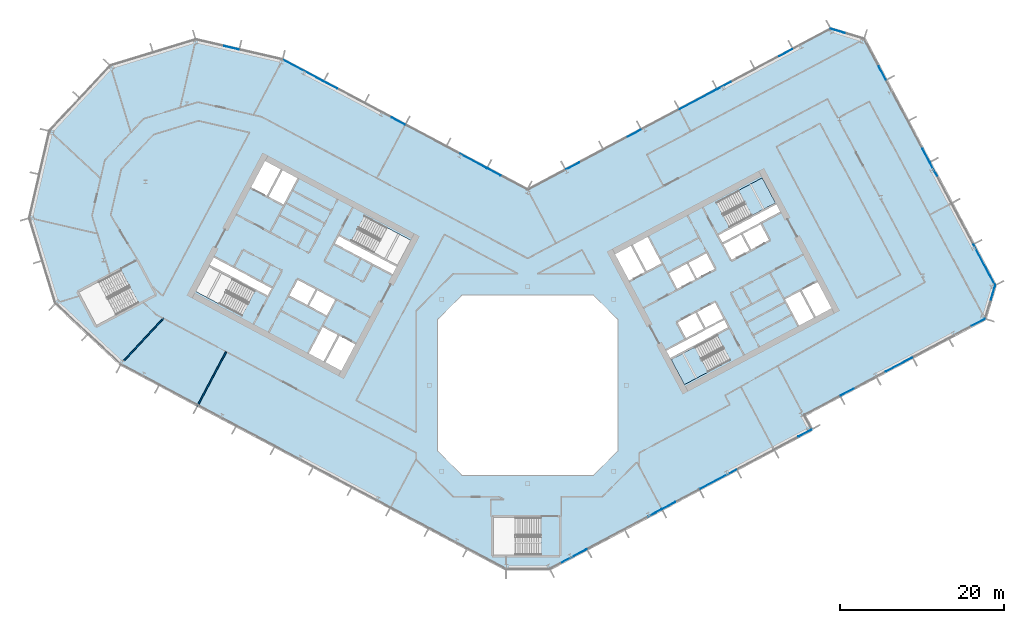
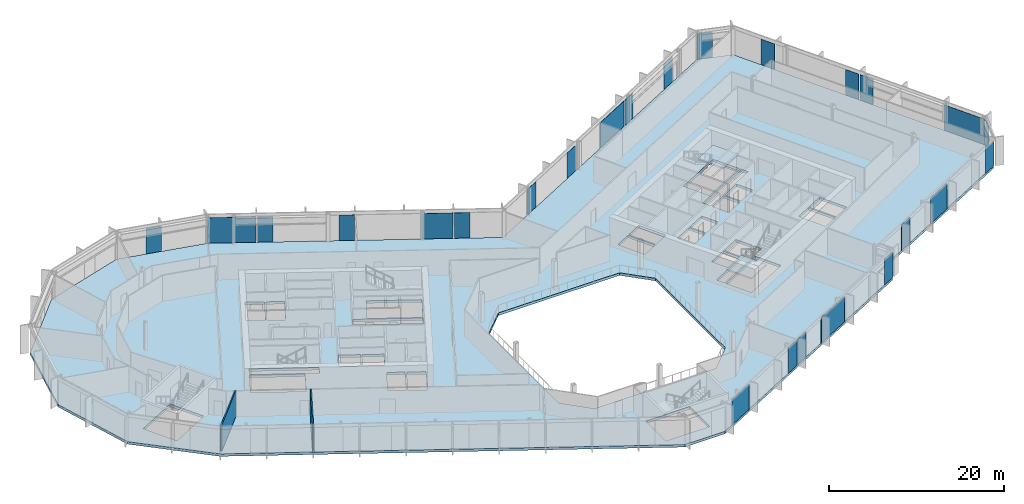
# One storey, part 12 of 28: 25 plates, 3 slabs, 2 walls, 10 elements without a shape of their own.
"""IFC4 building model written with IfcOpenShell, lengths in metres."""

from ifc_helpers import new_model, si_unit, direction, frame, frame_2d, origin, origin_2d, place, context, subcontext, project, spatial, polyline, rectangle, outline, extrude, material, layer, layer_set, type_object, element, aggregate, save


model = new_model("IFC4")

# Units and contexts
model_context = context("Model", 3, precision=1e-05, world=origin(), true_north=direction((0.0, 1.0)))
body_context = subcontext(model_context, "Body", "Model", "MODEL_VIEW")
ifc_project = project(units=[si_unit("LENGTHUNIT", "METRE"), si_unit("AREAUNIT", "SQUARE_METRE"), si_unit("VOLUMEUNIT", "CUBIC_METRE"), si_unit("PLANEANGLEUNIT", "RADIAN"), si_unit("MASSUNIT", "GRAM", prefix="KILO")], contexts=[model_context])

# Site, building, storey
site_placement = place(None, origin())
site = spatial("IfcSite", under=ifc_project, at=site_placement, CompositionType="ELEMENT")
building_placement = place(site_placement, origin())
building = spatial("IfcBuilding", under=site, at=building_placement, Name="Cormorant Relay Tower", CompositionType="ELEMENT")
storey_placement = place(building_placement, frame((0.0, 0.0, 142.199951171875)))
storey = spatial("IfcBuildingStorey", under=building, at=storey_placement, Name="L29", CompositionType="ELEMENT", Elevation=142.199951171875)

# Curtain wall, plates
ifc_material_1 = material(Name="Aluminium 6063-T6 anodised bronze", Category="aluminium")
ifc_layer_1 = layer(ifc_material_1, 0.199951171875)
ifc_layer_set_1 = layer_set([ifc_layer_1], Name="CW1 unitised bronze curtain wall with vertical fins")
curtain_wall_type = type_object("IfcCurtainWallType", Name="CW1 unitised bronze curtain wall with vertical fins", PredefinedType="NOTDEFINED", material=ifc_layer_set_1)
curtain_wall_1_placement = place(storey_placement, origin())
curtain_wall_1 = element("IfcCurtainWall", 1, at=curtain_wall_1_placement, inside=storey, type_object=curtain_wall_type, Name="CW1 curtain wall 2", PredefinedType="NOTDEFINED")
ifc_material_2 = material(Name="Tinted laminated glass", Category="glass")
ifc_layer_2 = layer(ifc_material_2, 0.0400390625)
ifc_layer_set_2 = layer_set([ifc_layer_2], Name="CW1 tinted vision panel 1800 module")
plate_type_1 = type_object("IfcPlateType", Name="CW1 tinted vision panel 1800 module", PredefinedType="CURTAIN_PANEL", material=ifc_layer_set_2)
plate_1_placement = place(storey_placement, frame((15.48291015625, -15.57421875, 0.0), z_axis=(0.0, 0.0, 1.0), x_axis=(0.882947592859, 0.469471562786, 0.0)))
plate_1 = element("IfcPlate", 2, at=plate_1_placement, type_object=plate_type_1, Name="CW1 panel V03", PredefinedType="CURTAIN_PANEL", context=body_context, shape_type="SweptSolid", body=[
    extrude(rectangle(XDim=1.800048828125, YDim=0.0400390625, at=origin_2d()), origin(), (0.0, 0.0, 1.0), 3.550048828125),
])
plate_2_placement = place(storey_placement, frame((17.20458984375, -14.65869140625, 0.0), z_axis=(0.0, 0.0, 1.0), x_axis=(0.882947592859, 0.469471562786, 0.0)))
plate_2 = element("IfcPlate", 3, at=plate_2_placement, type_object=plate_type_1, Name="CW1 panel V04", PredefinedType="CURTAIN_PANEL", context=body_context, shape_type="SweptSolid", body=[
    extrude(rectangle(XDim=1.800048828125, YDim=0.0400390625, at=origin_2d()), origin(), (0.0, 0.0, 1.0), 3.550048828125),
])
plate_3_placement = place(storey_placement, frame((33.796142578125, -5.8369140625, 0.0), z_axis=(0.0, 0.0, 1.0), x_axis=(0.882947592859, 0.469471562786, 0.0)))
plate_3 = element("IfcPlate", 4, at=plate_3_placement, type_object=plate_type_1, Name="CW1 panel V08", PredefinedType="CURTAIN_PANEL", context=body_context, shape_type="SweptSolid", body=[
    extrude(rectangle(XDim=1.800048828125, YDim=0.0400390625, at=origin_2d()), origin(), (0.0, 0.0, 1.0), 3.550048828125),
])

curtain_wall_2_placement = place(storey_placement, origin())
curtain_wall_2 = element("IfcCurtainWall", 5, at=curtain_wall_2_placement, inside=storey, type_object=curtain_wall_type, Name="CW1 curtain wall 4", PredefinedType="NOTDEFINED")
plate_4_placement = place(storey_placement, frame((38.927490234375, -0.843505859375, 0.0), z_axis=(0.0, 0.0, 1.0), x_axis=(0.882947592859, 0.469471562786, 0.0)))
plate_4 = element("IfcPlate", 6, at=plate_4_placement, type_object=plate_type_1, Name="CW1 panel V01", PredefinedType="CURTAIN_PANEL", context=body_context, shape_type="SweptSolid", body=[
    extrude(rectangle(XDim=1.800048828125, YDim=0.0400390625, at=origin_2d()), origin(), (0.0, 0.0, 1.0), 3.550048828125),
])
plate_5_placement = place(storey_placement, frame((54.930908203125, 7.665771484375, 0.0), z_axis=(0.0, 0.0, 1.0), x_axis=(0.882947592859, 0.469471562786, 0.0)))
plate_5 = element("IfcPlate", 7, at=plate_5_placement, type_object=plate_type_1, Name="CW1 panel V05", PredefinedType="CURTAIN_PANEL", context=body_context, shape_type="SweptSolid", body=[
    extrude(rectangle(XDim=1.800048828125, YDim=0.0400390625, at=origin_2d()), origin(), (0.0, 0.0, 1.0), 3.550048828125),
])

# Curtain wall, plate
curtain_wall_3_placement = place(storey_placement, origin())
curtain_wall_3 = element("IfcCurtainWall", 8, at=curtain_wall_3_placement, inside=storey, type_object=curtain_wall_type, Name="CW1 curtain wall 5", PredefinedType="NOTDEFINED")
plate_6_placement = place(storey_placement, frame((56.712646484375, 11.296630859375, 0.0), z_axis=(0.0, 0.0, 1.0), x_axis=(0.292371704723, 0.956304755963, 0.0)))
plate_6 = element("IfcPlate", 9, at=plate_6_placement, type_object=plate_type_1, Name="CW1 panel V01", PredefinedType="CURTAIN_PANEL", context=body_context, shape_type="SweptSolid", body=[
    extrude(rectangle(XDim=1.800048828125, YDim=0.0400390625, at=origin_2d()), origin(), (0.0, 0.0, 1.0), 3.550048828125),
])
aggregate(curtain_wall_3, [plate_6])

# Curtain wall, plates
curtain_wall_4_placement = place(storey_placement, origin())
curtain_wall_4 = element("IfcCurtainWall", 10, at=curtain_wall_4_placement, inside=storey, type_object=curtain_wall_type, Name="CW1 curtain wall 6", PredefinedType="NOTDEFINED")
plate_7_placement = place(storey_placement, frame((49.450927734375, 26.322021484375, 0.0), z_axis=(0.0, 0.0, 1.0), x_axis=(-0.469471562786, 0.882947592859, 0.0)))
plate_7 = element("IfcPlate", 11, at=plate_7_placement, type_object=plate_type_1, Name="CW1 panel V02", PredefinedType="CURTAIN_PANEL", context=body_context, shape_type="SweptSolid", body=[
    extrude(rectangle(XDim=1.800048828125, YDim=0.0400390625, at=origin_2d()), origin(), (0.0, 0.0, 1.0), 3.550048828125),
])
plate_8_placement = place(storey_placement, frame((48.535400390625, 28.043701171875, 0.0), z_axis=(0.0, 0.0, 1.0), x_axis=(-0.469471562786, 0.882947592859, 0.0)))
plate_8 = element("IfcPlate", 12, at=plate_8_placement, type_object=plate_type_1, Name="CW1 panel V03", PredefinedType="CURTAIN_PANEL", context=body_context, shape_type="SweptSolid", body=[
    extrude(rectangle(XDim=1.800048828125, YDim=0.0400390625, at=origin_2d()), origin(), (0.0, 0.0, 1.0), 3.550048828125),
])
plate_9_placement = place(storey_placement, frame((43.21484375, 38.05029296875, 0.0), z_axis=(0.0, 0.0, 1.0), x_axis=(-0.469471562786, 0.882947592859, 0.0)))
plate_9 = element("IfcPlate", 13, at=plate_9_placement, type_object=plate_type_1, Name="CW1 panel V05", PredefinedType="CURTAIN_PANEL", context=body_context, shape_type="SweptSolid", body=[
    extrude(rectangle(XDim=1.800048828125, YDim=0.0400390625, at=origin_2d()), origin(), (0.0, 0.0, 1.0), 3.550048828125),
])

# Curtain wall, plate
curtain_wall_5_placement = place(storey_placement, origin())
curtain_wall_5 = element("IfcCurtainWall", 14, at=curtain_wall_5_placement, inside=storey, type_object=curtain_wall_type, Name="CW1 curtain wall 7", PredefinedType="NOTDEFINED")
plate_10_placement = place(storey_placement, frame((37.8037109375, 43.179931640625, 0.0), z_axis=(0.0, 0.0, 1.0), x_axis=(-0.956304755963, 0.292371704723, 0.0)))
plate_10 = element("IfcPlate", 15, at=plate_10_placement, type_object=plate_type_1, Name="CW1 panel V01", PredefinedType="CURTAIN_PANEL", context=body_context, shape_type="SweptSolid", body=[
    extrude(rectangle(XDim=1.800048828125, YDim=0.0400390625, at=origin_2d()), origin(), (0.0, 0.0, 1.0), 3.550048828125),
])
aggregate(curtain_wall_5, [plate_10])

# Curtain wall, plates
curtain_wall_6_placement = place(storey_placement, origin())
curtain_wall_6 = element("IfcCurtainWall", 16, at=curtain_wall_6_placement, inside=storey, type_object=curtain_wall_type, Name="CW1 curtain wall 8", PredefinedType="NOTDEFINED")
plate_11_placement = place(storey_placement, frame((31.449951171875, 40.52880859375, 0.0), z_axis=(0.0, 0.0, 1.0), x_axis=(-0.882947592859, -0.469471562786, 0.0)))
plate_11 = element("IfcPlate", 17, at=plate_11_placement, type_object=plate_type_1, Name="CW1 panel V01", PredefinedType="CURTAIN_PANEL", context=body_context, shape_type="SweptSolid", body=[
    extrude(rectangle(XDim=1.800048828125, YDim=0.0400390625, at=origin_2d()), origin(), (0.0, 0.0, 1.0), 3.550048828125),
])
plate_12_placement = place(storey_placement, frame((23.937255859375, 36.5341796875, 0.0), z_axis=(0.0, 0.0, 1.0), x_axis=(-0.882947592859, -0.469471562786, 0.0)))
plate_12 = element("IfcPlate", 18, at=plate_12_placement, type_object=plate_type_1, Name="CW1 panel V03", PredefinedType="CURTAIN_PANEL", context=body_context, shape_type="SweptSolid", body=[
    extrude(rectangle(XDim=1.800048828125, YDim=0.0400390625, at=origin_2d()), origin(), (0.0, 0.0, 1.0), 3.550048828125),
])
plate_13_placement = place(storey_placement, frame((12.981201171875, 30.708984375, 0.0), z_axis=(0.0, 0.0, 1.0), x_axis=(-0.882947592859, -0.469471562786, 0.0)))
plate_13 = element("IfcPlate", 19, at=plate_13_placement, type_object=plate_type_1, Name="CW1 panel V06", PredefinedType="CURTAIN_PANEL", context=body_context, shape_type="SweptSolid", body=[
    extrude(rectangle(XDim=1.800048828125, YDim=0.0400390625, at=origin_2d()), origin(), (0.0, 0.0, 1.0), 3.550048828125),
])
plate_14_placement = place(storey_placement, frame((5.468505859375, 26.71435546875, 0.0), z_axis=(0.0, 0.0, 1.0), x_axis=(-0.882947592859, -0.469471562786, 0.0)))
plate_14 = element("IfcPlate", 20, at=plate_14_placement, type_object=plate_type_1, Name="CW1 panel V08", PredefinedType="CURTAIN_PANEL", context=body_context, shape_type="SweptSolid", body=[
    extrude(rectangle(XDim=1.800048828125, YDim=0.0400390625, at=origin_2d()), origin(), (0.0, 0.0, 1.0), 3.550048828125),
])

curtain_wall_7_placement = place(storey_placement, origin())
curtain_wall_7 = element("IfcCurtainWall", 21, at=curtain_wall_7_placement, inside=storey, type_object=curtain_wall_type, Name="CW1 curtain wall 9", PredefinedType="NOTDEFINED")
plate_15_placement = place(storey_placement, frame((-4.108642578125, 25.9912109375, 0.0), z_axis=(0.0, 0.0, 1.0), x_axis=(-0.882947592859, 0.469471562786, 0.0)))
plate_15 = element("IfcPlate", 22, at=plate_15_placement, type_object=plate_type_1, Name="CW1 panel V01", PredefinedType="CURTAIN_PANEL", context=body_context, shape_type="SweptSolid", body=[
    extrude(rectangle(XDim=1.800048828125, YDim=0.0400390625, at=origin_2d()), origin(), (0.0, 0.0, 1.0), 3.550048828125),
])
plate_16_placement = place(storey_placement, frame((-15.788330078125, 32.201416015625, 0.0), z_axis=(0.0, 0.0, 1.0), x_axis=(-0.882947592859, 0.469471562786, 0.0)))
plate_16 = element("IfcPlate", 23, at=plate_16_placement, type_object=plate_type_1, Name="CW1 panel V04", PredefinedType="CURTAIN_PANEL", context=body_context, shape_type="SweptSolid", body=[
    extrude(rectangle(XDim=1.800048828125, YDim=0.0400390625, at=origin_2d()), origin(), (0.0, 0.0, 1.0), 3.550048828125),
])
plate_17_placement = place(storey_placement, frame((-24.0244140625, 36.580810546875, 0.0), z_axis=(0.0, 0.0, 1.0), x_axis=(-0.882947592859, 0.469471562786, 0.0)))
plate_17 = element("IfcPlate", 24, at=plate_17_placement, type_object=plate_type_1, Name="CW1 panel V06", PredefinedType="CURTAIN_PANEL", context=body_context, shape_type="SweptSolid", body=[
    extrude(rectangle(XDim=1.800048828125, YDim=0.0400390625, at=origin_2d()), origin(), (0.0, 0.0, 1.0), 3.550048828125),
])

# Curtain wall, plate
curtain_wall_8_placement = place(storey_placement, origin())
curtain_wall_8 = element("IfcCurtainWall", 25, at=curtain_wall_8_placement, inside=storey, type_object=curtain_wall_type, Name="CW1 curtain wall 10", PredefinedType="NOTDEFINED")
plate_18_placement = place(storey_placement, frame((-36.114990234375, 41.129638671875, 0.0), z_axis=(0.0, 0.0, 1.0), x_axis=(-0.974370064785, 0.224951054344, 0.0)))
plate_18 = element("IfcPlate", 26, at=plate_18_placement, type_object=plate_type_1, Name="CW1 panel V01", PredefinedType="CURTAIN_PANEL", context=body_context, shape_type="SweptSolid", body=[
    extrude(rectangle(XDim=1.800048828125, YDim=0.0400390625, at=origin_2d()), origin(), (0.0, 0.0, 1.0), 3.550048828125),
])
aggregate(curtain_wall_8, [plate_18])

# Plate
ifc_material_3 = material(Name="Tinted laminated glass", Category="glass")
ifc_layer_3 = layer(ifc_material_3, 0.0400390625)
ifc_layer_set_3 = layer_set([ifc_layer_3], Name="CW1 tinted vision panel 3600 module")
plate_type_2 = type_object("IfcPlateType", Name="CW1 tinted vision panel 3600 module", PredefinedType="CURTAIN_PANEL", material=ifc_layer_set_3)
plate_19_placement = place(storey_placement, frame((5.564453125, -20.847900390625, 0.0), z_axis=(0.0, 0.0, 1.0), x_axis=(0.882947592859, 0.469471562786, 0.0)))
plate_19 = element("IfcPlate", 27, at=plate_19_placement, type_object=plate_type_2, Name="CW1 panel V01", PredefinedType="CURTAIN_PANEL", context=body_context, shape_type="SweptSolid", body=[
    extrude(rectangle(XDim=3.60009765625, YDim=0.0400390625, at=origin_2d()), origin(), (0.0, 0.0, 1.0), 3.550048828125),
])

plate_20_placement = place(storey_placement, frame((45.240478515625, 2.513427734375, 0.0), z_axis=(0.0, 0.0, 1.0), x_axis=(0.882947592859, 0.469471562786, 0.0)))
plate_20 = element("IfcPlate", 28, at=plate_20_placement, type_object=plate_type_2, Name="CW1 panel V03", PredefinedType="CURTAIN_PANEL", context=body_context, shape_type="SweptSolid", body=[
    extrude(rectangle(XDim=3.60009765625, YDim=0.0400390625, at=origin_2d()), origin(), (0.0, 0.0, 1.0), 3.550048828125),
])

aggregate(curtain_wall_2, [plate_4, plate_20, plate_5])

plate_21_placement = place(storey_placement, frame((-6.625, 27.3291015625, 0.0), z_axis=(0.0, 0.0, 1.0), x_axis=(-0.882947592859, 0.469471562786, 0.0)))
plate_21 = element("IfcPlate", 29, at=plate_21_placement, type_object=plate_type_2, Name="CW1 panel V02", PredefinedType="CURTAIN_PANEL", context=body_context, shape_type="SweptSolid", body=[
    extrude(rectangle(XDim=3.60009765625, YDim=0.0400390625, at=origin_2d()), origin(), (0.0, 0.0, 1.0), 3.550048828125),
])

ifc_material_4 = material(Name="Tinted laminated glass", Category="glass")
ifc_layer_4 = layer(ifc_material_4, 0.0400390625)
ifc_layer_set_4 = layer_set([ifc_layer_4], Name="CW1 tinted vision panel 5400 module")
plate_type_3 = type_object("IfcPlateType", Name="CW1 tinted vision panel 5400 module", PredefinedType="CURTAIN_PANEL", material=ifc_layer_set_4)
plate_22_placement = place(storey_placement, frame((23.186279296875, -11.478271484375, 0.0), z_axis=(0.0, 0.0, 1.0), x_axis=(0.882947592859, 0.469471562786, 0.0)))
plate_22 = element("IfcPlate", 30, at=plate_22_placement, type_object=plate_type_3, Name="CW1 panel V06", PredefinedType="CURTAIN_PANEL", context=body_context, shape_type="SweptSolid", body=[
    extrude(rectangle(XDim=5.0166015625, YDim=0.0400390625, at=origin_2d()), origin(), (0.0, 0.0, 1.0), 3.550048828125),
])

aggregate(curtain_wall_1, [plate_19, plate_1, plate_2, plate_22, plate_3])

plate_23_placement = place(storey_placement, frame((55.64404296875, 14.67431640625, 0.0), z_axis=(0.0, 0.0, 1.0), x_axis=(-0.469471562786, 0.882947592859, 0.0)))
plate_23 = element("IfcPlate", 31, at=plate_23_placement, type_object=plate_type_3, Name="CW1 panel V00", PredefinedType="CURTAIN_PANEL", context=body_context, shape_type="SweptSolid", body=[
    extrude(rectangle(XDim=5.5166015625, YDim=0.0400390625, at=origin_2d()), origin(), (0.0, 0.0, 1.0), 3.550048828125),
])

aggregate(curtain_wall_4, [plate_23, plate_7, plate_8, plate_9])

plate_24_placement = place(storey_placement, frame((20.767822265625, 34.84912109375, 0.0), z_axis=(0.0, 0.0, 1.0), x_axis=(-0.882947592859, -0.469471562786, 0.0)))
plate_24 = element("IfcPlate", 32, at=plate_24_placement, type_object=plate_type_3, Name="CW1 panel V04", PredefinedType="CURTAIN_PANEL", context=body_context, shape_type="SweptSolid", body=[
    extrude(rectangle(XDim=5.079345703125, YDim=0.0400390625, at=origin_2d()), origin(), (0.0, 0.0, 1.0), 3.550048828125),
])

aggregate(curtain_wall_6, [plate_11, plate_12, plate_24, plate_13, plate_14])

plate_25_placement = place(storey_placement, frame((-27.407958984375, 38.379638671875, 0.0), z_axis=(0.0, 0.0, 1.0), x_axis=(-0.882947592859, 0.469471562786, 0.0)))
plate_25 = element("IfcPlate", 33, at=plate_25_placement, type_object=plate_type_3, Name="CW1 panel V07", PredefinedType="CURTAIN_PANEL", context=body_context, shape_type="SweptSolid", body=[
    extrude(rectangle(XDim=5.56396484375, YDim=0.0400390625, at=origin_2d()), origin(), (0.0, 0.0, 1.0), 3.550048828125),
])

aggregate(curtain_wall_7, [plate_15, plate_21, plate_16, plate_17, plate_25])

# Stair, slab
ifc_material_5 = material(Name="Concrete 40 MPa", Category="concrete")
stair_type = type_object("IfcStairType", Name="Exit stair 1500", PredefinedType="HALF_TURN_STAIR", material=ifc_material_5)
stair_1_placement = place(storey_placement, origin())
stair_1 = element("IfcStair", 34, at=stair_1_placement, inside=storey, type_object=stair_type, Name="L29 Stair", PredefinedType="HALF_TURN_STAIR")
ifc_material_6 = material(Name="Concrete 40 MPa", Category="concrete")
ifc_layer_5 = layer(ifc_material_6, 0.199951171875)
ifc_layer_set_5 = layer_set([ifc_layer_5], Name="Exit stair landing 200")
slab_type_1 = type_object("IfcSlabType", Name="Exit stair landing 200", PredefinedType="LANDING", material=ifc_layer_set_5)
slab_1_placement = place(storey_placement, frame((0.0, 0.0, 1.800048828125)))
slab_1 = element("IfcSlab", 35, at=slab_1_placement, type_object=slab_type_1, Name="B1 landing 1", PredefinedType="LANDING", context=body_context, shape_type="SweptSolid", body=[
    extrude(outline(polyline([(20.36767578125, 4.6572265625), (17.48046875, 3.1220703125), (19.10009765625, 0.075927734375), (21.9873046875, 1.611083984375), (20.36767578125, 4.6572265625)])), origin(), (0.0, 0.0, 1.0), 0.199951171875),
])
aggregate(stair_1, [slab_1])

stair_2_placement = place(storey_placement, origin())
stair_2 = element("IfcStair", 36, at=stair_2_placement, inside=storey, type_object=stair_type, Name="L29 Stair", PredefinedType="HALF_TURN_STAIR")
slab_2_placement = place(storey_placement, frame((0.0, 0.0, 1.800048828125)))
slab_2 = element("IfcSlab", 37, at=slab_2_placement, type_object=slab_type_1, Name="B2 landing 1", PredefinedType="LANDING", context=body_context, shape_type="SweptSolid", body=[
    extrude(outline(polyline([(27.3115234375, 20.6943359375), (30.19873046875, 22.2294921875), (28.5791015625, 25.275634765625), (25.69189453125, 23.740478515625), (27.3115234375, 20.6943359375)])), origin(), (0.0, 0.0, 1.0), 0.199951171875),
])
aggregate(stair_2, [slab_2])

# Slab
ifc_material_7 = material(Name="Concrete 40 MPa", Category="concrete")
ifc_layer_6 = layer(ifc_material_7, 0.360107421875)
ifc_layer_set_6 = layer_set([ifc_layer_6], Name="Flat plate 360")
slab_type_2 = type_object("IfcSlabType", Name="Flat plate 360", PredefinedType="FLOOR", material=ifc_layer_set_6)
slab_3_placement = place(storey_placement, frame((0.0, 0.0, -0.35986328125)))
element("IfcSlab", 38, at=slab_3_placement, inside=storey, type_object=slab_type_2, Name="Floor slab L29", PredefinedType="FLOOR", context=body_context, shape_type="SweptSolid", body=[
    extrude(outline(polyline([(-60.7197265625, 20.393310546875), (-58.2744140625, 30.985107421875), (-50.86083984375, 38.935302734375), (-40.465576171875, 42.11328125), (-29.873779296875, 39.668212890625), (0.0, 23.783935546875), (36.937255859375, 43.423828125), (40.99462890625, 42.18359375), (56.95654296875, 12.1630859375), (55.71630859375, 8.10595703125), (33.642578125, -3.630859375), (34.581298828125, -5.396728515625), (2.648681640625, -22.37548828125), (-2.648681640625, -22.37548828125), (-49.591552734375, 2.584228515625), (-57.541748046875, 9.997802734375), (-60.7197265625, 20.393310546875)]), holes=[polyline([(11.0, -8.0), (11.0, 8.0), (8.0, 11.0), (-8.0, 11.0), (-11.0, 8.0), (-11.0, -8.0), (-8.0, -11.0), (8.0, -11.0), (11.0, -8.0)]), polyline([(-4.199951171875, -16.125), (-4.199951171875, -20.675048828125), (1.60009765625, -20.675048828125), (1.60009765625, -16.125), (-4.199951171875, -16.125)]), polyline([(-22.95458984375, 6.03271484375), (-24.668212890625, 2.81005859375), (-22.725830078125, 1.777099609375), (-21.01220703125, 5.0), (-23.04296875, 6.07958984375), (-22.95458984375, 6.03271484375)]), polyline([(-24.985595703125, 7.112548828125), (-26.69921875, 3.889892578125), (-24.844970703125, 2.90380859375), (-23.13134765625, 6.126708984375), (-23.04296875, 6.07958984375), (-24.985595703125, 7.112548828125)]), polyline([(-24.481201171875, 8.48681640625), (-23.448486328125, 10.42919921875), (-25.656005859375, 11.602783203125), (-26.688720703125, 9.660400390625), (-24.481201171875, 8.48681640625)]), polyline([(-49.57861328125, 14.0537109375), (-54.69970703125, 11.330810546875), (-52.563720703125, 7.3134765625), (-47.442626953125, 10.036376953125), (-49.57861328125, 14.0537109375)]), polyline([(-25.83251953125, 11.69677734375), (-28.039794921875, 12.870361328125), (-29.07275390625, 10.927978515625), (-26.865234375, 9.75439453125), (-25.83251953125, 11.69677734375)]), polyline([(-38.847900390625, 14.483154296875), (-40.46728515625, 11.43701171875), (-34.860595703125, 8.455810546875), (-33.240966796875, 11.502197265625), (-38.847900390625, 14.483154296875)]), polyline([(-38.260986328125, 15.5869140625), (-38.75390625, 14.659912109375), (-31.690185546875, 10.904052734375), (-31.197265625, 11.8310546875), (-38.260986328125, 15.5869140625)]), polyline([(14.3056640625, 13.779052734375), (12.592041015625, 17.001708984375), (10.649658203125, 15.968994140625), (12.36328125, 12.74609375), (14.39404296875, 13.825927734375), (14.3056640625, 13.779052734375)]), polyline([(16.33642578125, 14.85888671875), (14.622802734375, 18.08154296875), (12.768798828125, 17.095703125), (14.482421875, 13.872802734375), (14.39404296875, 13.825927734375), (16.33642578125, 14.85888671875)]), polyline([(-16.481689453125, 13.520263671875), (-15.989013671875, 14.447509765625), (-23.052490234375, 18.203125), (-23.54541015625, 17.276123046875), (-16.481689453125, 13.520263671875)]), polyline([(-21.501708984375, 17.605224609375), (-15.89501953125, 14.6240234375), (-14.275390625, 17.670166015625), (-19.882080078125, 20.6513671875), (-21.501708984375, 17.605224609375)]), polyline([(-31.611572265625, 22.980712890625), (-29.75732421875, 21.99462890625), (-28.043701171875, 25.217529296875), (-29.89794921875, 26.203369140625), (-31.611572265625, 22.980712890625)]), polyline([(-32.01708984375, 27.330078125), (-33.73046875, 24.107421875), (-31.7880859375, 23.074462890625), (-30.074462890625, 26.29736328125), (-32.01708984375, 27.330078125)]), polyline([(17.48046875, 3.1220703125), (19.10009765625, 0.07568359375), (24.706787109375, 3.056884765625), (23.087158203125, 6.10302734375), (17.48046875, 3.1220703125)]), polyline([(16.8935546875, 4.2255859375), (17.386474609375, 3.298583984375), (24.4501953125, 7.054443359375), (23.957275390625, 7.9814453125), (16.8935546875, 4.2255859375)]), polyline([(20.446533203125, 8.8330078125), (18.239013671875, 7.6591796875), (19.27197265625, 5.716796875), (21.479248046875, 6.890380859375), (20.446533203125, 8.8330078125)]), polyline([(21.656005859375, 6.984375), (23.86328125, 8.158203125), (22.830322265625, 10.1005859375), (20.623046875, 8.927001953125), (21.656005859375, 6.984375)]), polyline([(33.197021484375, 11.478515625), (31.3427734375, 10.49267578125), (33.056396484375, 7.27001953125), (34.910400390625, 8.255859375), (33.197021484375, 11.478515625)]), polyline([(33.37353515625, 11.572509765625), (35.087158203125, 8.349609375), (37.029541015625, 9.382568359375), (35.31591796875, 12.605224609375), (33.37353515625, 11.572509765625)]), polyline([(17.19384765625, 13.67236328125), (18.2265625, 11.72998046875), (20.43408203125, 12.903564453125), (19.401123046875, 14.84619140625), (17.19384765625, 13.67236328125)]), polyline([(20.610595703125, 12.99755859375), (22.81787109375, 14.171142578125), (21.78515625, 16.113525390625), (19.57763671875, 14.93994140625), (20.610595703125, 12.99755859375)]), polyline([(26.023193359375, 18.3671875), (23.81591796875, 17.193359375), (24.8486328125, 15.2509765625), (27.05615234375, 16.424560546875), (26.023193359375, 18.3671875)]), polyline([(29.440185546875, 17.692138671875), (28.4072265625, 19.634765625), (26.19970703125, 18.4609375), (27.232666015625, 16.5185546875), (29.440185546875, 17.692138671875)]), polyline([(30.78564453125, 21.125732421875), (30.29248046875, 22.052978515625), (23.22900390625, 18.297119140625), (23.721923828125, 17.3701171875), (30.78564453125, 21.125732421875)]), polyline([(24.592041015625, 19.248291015625), (30.19873046875, 22.2294921875), (28.5791015625, 25.275634765625), (22.972412109375, 22.29443359375), (24.592041015625, 19.248291015625)])]), origin(), (0.0, 0.0, 1.0), 0.35986328125),
])

# Walls
ifc_material_8 = material(Name="Gypsum board partition")
ifc_layer_7 = layer(ifc_material_8, 0.14990234375)
ifc_layer_set_7 = layer_set([ifc_layer_7], Name="Tenant partition 150")
wall_type = type_object("IfcWallType", Name="Tenant partition 150", PredefinedType="PARTITIONING", material=ifc_layer_set_7)
wall_1_placement = place(storey_placement, frame((-44.402099609375, 8.14892578125, 0.0), z_axis=(0.0, 0.0, 1.0), x_axis=(-0.682039957921, -0.731314908777, 0.0)))
element("IfcWall", 39, at=wall_1_placement, inside=storey, type_object=wall_type, Name="wall/L29/part/011", PredefinedType="PARTITIONING", context=body_context, shape_type="SweptSolid", body=[
    extrude(rectangle(XDim=7.0654296875, YDim=0.14990234375, at=frame_2d((3.53271484375, 0.0))), origin(), (0.0, 0.0, 1.0), 3.64013671875),
])
wall_2_placement = place(storey_placement, frame((-36.751953125, 4.08203125, 0.0), z_axis=(0.0, 0.0, 1.0), x_axis=(-0.46955237308, -0.88290462052, 0.0)))
element("IfcWall", 40, at=wall_2_placement, inside=storey, type_object=wall_type, Name="wall/L29/part/012", PredefinedType="PARTITIONING", context=body_context, shape_type="SweptSolid", body=[
    extrude(rectangle(XDim=7.550048828125, YDim=0.14990234375, at=frame_2d((3.77490234375, 0.0))), origin(), (0.0, 0.0, 1.0), 3.64013671875),
])

save(model, "model.ifc")
